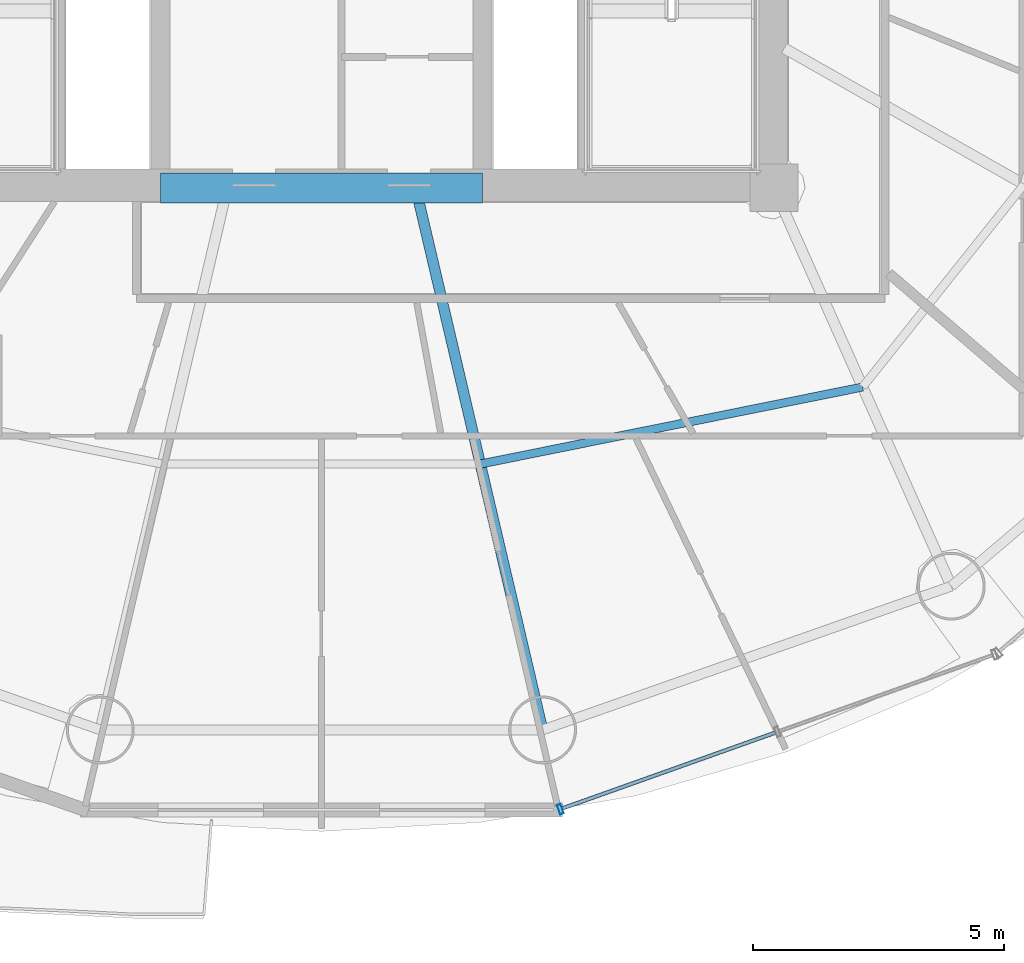
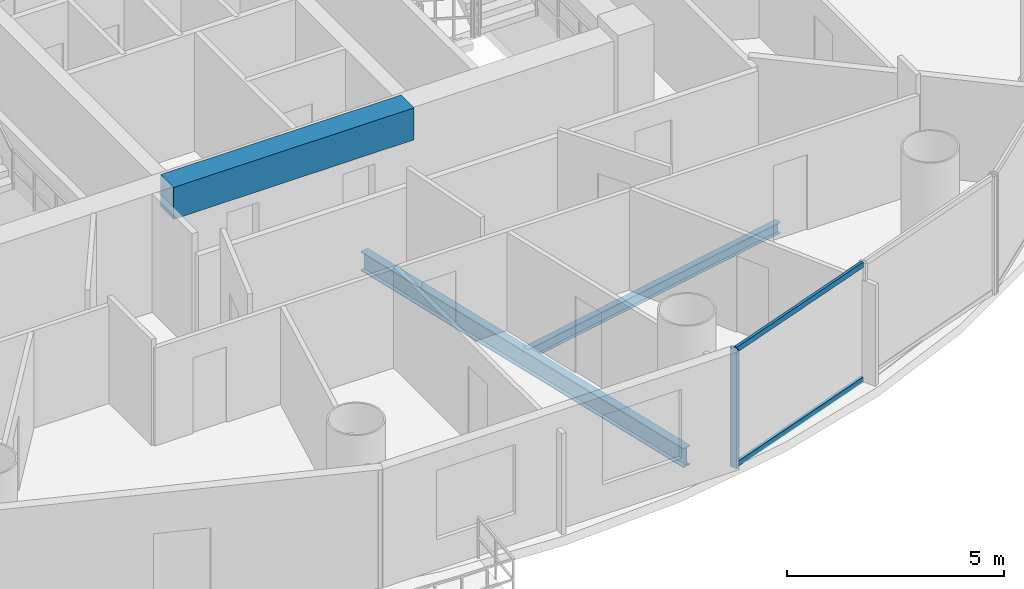
# One storey, part 5 of 27: 3 beams, 3 members, 1 element without a shape of its own.
"""IFC4 building model written with IfcOpenShell, lengths in metres."""

from ifc_helpers import new_model, si_unit, direction, frame, origin, origin_2d, place, context, subcontext, project, spatial, rectangle, hollow_rectangle, i_section, extrude, source, transform, mapped, material, material_profile, profile_set, type_object, element, aggregate, save


model = new_model("IFC4")

# Units and contexts
model_context = context("Model", 3, precision=1e-05, world=origin(), true_north=direction((-0.2419218956, 0.970295726276)))
body_context = subcontext(model_context, "Body", "Model", "MODEL_VIEW")
ifc_project = project(units=[si_unit("LENGTHUNIT", "METRE"), si_unit("AREAUNIT", "SQUARE_METRE"), si_unit("VOLUMEUNIT", "CUBIC_METRE"), si_unit("PLANEANGLEUNIT", "RADIAN"), si_unit("MASSUNIT", "GRAM", prefix="KILO")], contexts=[model_context])

# Site, building, storey
site_placement = place(None, origin())
site = spatial("IfcSite", under=ifc_project, at=site_placement, CompositionType="ELEMENT")
building_placement = place(site_placement, origin())
building = spatial("IfcBuilding", under=site, at=building_placement, Name="Cobrevalo Terracotta Tower", CompositionType="ELEMENT")
storey_placement = place(building_placement, frame((0.0, 0.0, 146.199951171875)))
storey = spatial("IfcBuildingStorey", under=building, at=storey_placement, Name="L38", CompositionType="ELEMENT", Elevation=146.199951171875)

# Beams
ifc_material_1 = material(Name="Concrete C60", Category="concrete")
ifc_material_profile_1 = material_profile(ifc_material_1, rectangle(XDim=0.60009765625, YDim=0.89990234375, at=origin_2d()), Name="RC CB 600x900")
ifc_profile_set_1 = profile_set([ifc_material_profile_1], Name="Concrete C60")
beam_type_1 = type_object("IfcBeamType", Name="Structural Beam RC CB 600x900 (Concrete C60)", PredefinedType="BEAM", material=ifc_profile_set_1)
beam_1_placement = place(storey_placement, frame((34.800048828125, 18.800048828125, 2.880126953125), z_axis=(1.0, 0.0, 0.0), x_axis=(0.0, 1.0, 0.0)))
element("IfcBeam", 1, at=beam_1_placement, inside=storey, type_object=beam_type_1, Name="L38 core coupling beam 1", PredefinedType="BEAM", context=body_context, shape_type="SweptSolid", body=[
    extrude(rectangle(XDim=0.60009765625, YDim=0.89990234375, at=origin_2d()), origin(), (0.0, 0.0, 1.0), 6.39990234375),
])
ifc_material_2 = material(Name="Steel S355", Category="steel")
ifc_material_profile_2 = material_profile(ifc_material_2, i_section(OverallWidth=0.2109375, OverallDepth=0.5390625, WebThickness=0.01171875, FlangeThickness=0.018798828125, at=origin_2d()), Name="W 530x109")
ifc_profile_set_2 = profile_set([ifc_material_profile_2], Name="Steel S355")
beam_type_2 = type_object("IfcBeamType", Name="Structural Beam W 530x109 (Steel S355)", PredefinedType="BEAM", material=ifc_profile_set_2)
beam_2_placement = place(storey_placement, frame((42.399169921875, 8.01806640625, -0.53955078125), z_axis=(-0.228045854186, 0.973650393308, 0.0), x_axis=(-0.973650393308, -0.228045854186, 0.0)))
element("IfcBeam", 2, at=beam_2_placement, inside=storey, type_object=beam_type_2, Name="L38 radial floor girder 13", PredefinedType="BEAM", context=body_context, shape_type="SweptSolid", body=[
    extrude(i_section(OverallWidth=0.2109375, OverallDepth=0.5390625, WebThickness=0.01171875, FlangeThickness=0.018798828125, at=origin_2d()), origin(), (0.0, 0.0, 1.0), 10.863037109375),
])
ifc_material_profile_3 = material_profile(ifc_material_2, i_section(OverallWidth=0.1650390625, OverallDepth=0.31005859375, WebThickness=0.005859375, FlangeThickness=0.009765625, at=origin_2d()), Name="W 310x38.7")
ifc_profile_set_3 = profile_set([ifc_material_profile_3], Name="Steel S355")
beam_type_3 = type_object("IfcBeamType", Name="Structural Joist W 310x38.7 (Steel S355)", PredefinedType="JOIST", material=ifc_profile_set_3)
beam_3_placement = place(storey_placement, frame((41.16064453125, 13.306396484375, -0.425048828125), z_axis=(0.980293928329, 0.197544461026, 0.0), x_axis=(-0.197544461026, 0.980293928329, 0.0)))
element("IfcBeam", 3, at=beam_3_placement, inside=storey, type_object=beam_type_3, Name="L38 circumferential secondary floor joist 13", PredefinedType="JOIST", context=body_context, shape_type="SweptSolid", body=[
    extrude(i_section(OverallWidth=0.1650390625, OverallDepth=0.31005859375, WebThickness=0.005859375, FlangeThickness=0.009765625, at=origin_2d()), origin(), (0.0, 0.0, 1.0), 7.75634765625),
])

# Curtain wall, members
ifc_material_3 = material(Name="Anodized aluminium", Category="aluminium")
curtain_wall_type = type_object("IfcCurtainWallType", Name="Mid-tower high-wind unitised curtain wall CW-U2", PredefinedType="NOTDEFINED", material=ifc_material_3)
curtain_wall_placement = place(storey_placement, origin())
curtain_wall = element("IfcCurtainWall", 4, at=curtain_wall_placement, inside=storey, type_object=curtain_wall_type, Name="L38 curtain wall CW-L38-S13", PredefinedType="NOTDEFINED")
ifc_material_profile_4 = material_profile(ifc_material_3, hollow_rectangle(XDim=0.074951171875, YDim=0.199951171875, WallThickness=0.0048828125, at=origin_2d()), Name="CWM 75x200")
ifc_profile_set_4 = profile_set([ifc_material_profile_4], Name="Anodized aluminium")
member_type_1 = type_object("IfcMemberType", Name="Lower/mid tower unitised mullion 75x200", PredefinedType="MULLION", material=ifc_profile_set_4)
shared_shape_1 = source(origin(), body_context, "Body", "SweptSolid", [
    extrude(hollow_rectangle(XDim=0.074951171875, YDim=0.199951171875, WallThickness=0.0048828125, at=origin_2d()), origin(), (0.0, 0.0, 1.0), 3.330078125),
])
member_1_placement = place(storey_placement, frame((42.7529296875, 6.4423828125, 0.0), z_axis=(0.0, 0.0, 1.0), x_axis=(0.942098428897, 0.335336473217, 0.0)))
member_1 = element("IfcMember", 5, at=member_1_placement, type_object=member_type_1, Name="CW-L38-S13 vertical mullion 01", PredefinedType="MULLION", context=body_context, shape_type="MappedRepresentation", body=[
    mapped(shared_shape_1, transform((0.0, 0.0, 0.0), scale=1.0)),
])
ifc_material_profile_5 = material_profile(ifc_material_3, hollow_rectangle(XDim=0.074951171875, YDim=0.14990234375, WallThickness=0.00439453125, at=origin_2d()), Name="CWT 75x150")
ifc_profile_set_5 = profile_set([ifc_material_profile_5], Name="Anodized aluminium")
member_type_2 = type_object("IfcMemberType", Name="Tower unitised aluminium transom 75x150", PredefinedType="USERDEFINED", material=ifc_profile_set_5)
shared_shape_2 = source(origin(), body_context, "Body", "SweptSolid", [
    extrude(hollow_rectangle(XDim=0.074951171875, YDim=0.14990234375, WallThickness=0.00439453125, at=origin_2d()), origin(), (0.0, 0.0, 1.0), 4.50390625),
])
member_2_placement = place(storey_placement, frame((42.790771484375, 6.455810546875, 0.050048828125), z_axis=(0.942087248155, 0.335367882873, 0.0), x_axis=(-0.335367882873, 0.942087248155, 0.0)))
member_2 = element("IfcMember", 6, at=member_2_placement, type_object=member_type_2, Name="CW-L38-S13 transom B01-T1", ObjectType="TRANSOM", PredefinedType="USERDEFINED", context=body_context, shape_type="MappedRepresentation", body=[
    mapped(shared_shape_2, transform((0.0, 0.0, 0.0), scale=1.0)),
])
member_3_placement = place(storey_placement, frame((42.790771484375, 6.455810546875, 3.280029296875), z_axis=(0.942087248155, 0.335367882873, 0.0), x_axis=(-0.335367882873, 0.942087248155, 0.0)))
member_3 = element("IfcMember", 7, at=member_3_placement, type_object=member_type_2, Name="CW-L38-S13 transom B01-T2", ObjectType="TRANSOM", PredefinedType="USERDEFINED", context=body_context, shape_type="MappedRepresentation", body=[
    mapped(shared_shape_2, transform((0.0, 0.0, 0.0), scale=1.0)),
])
aggregate(curtain_wall, [member_1, member_2, member_3])

save(model, "model.ifc")
